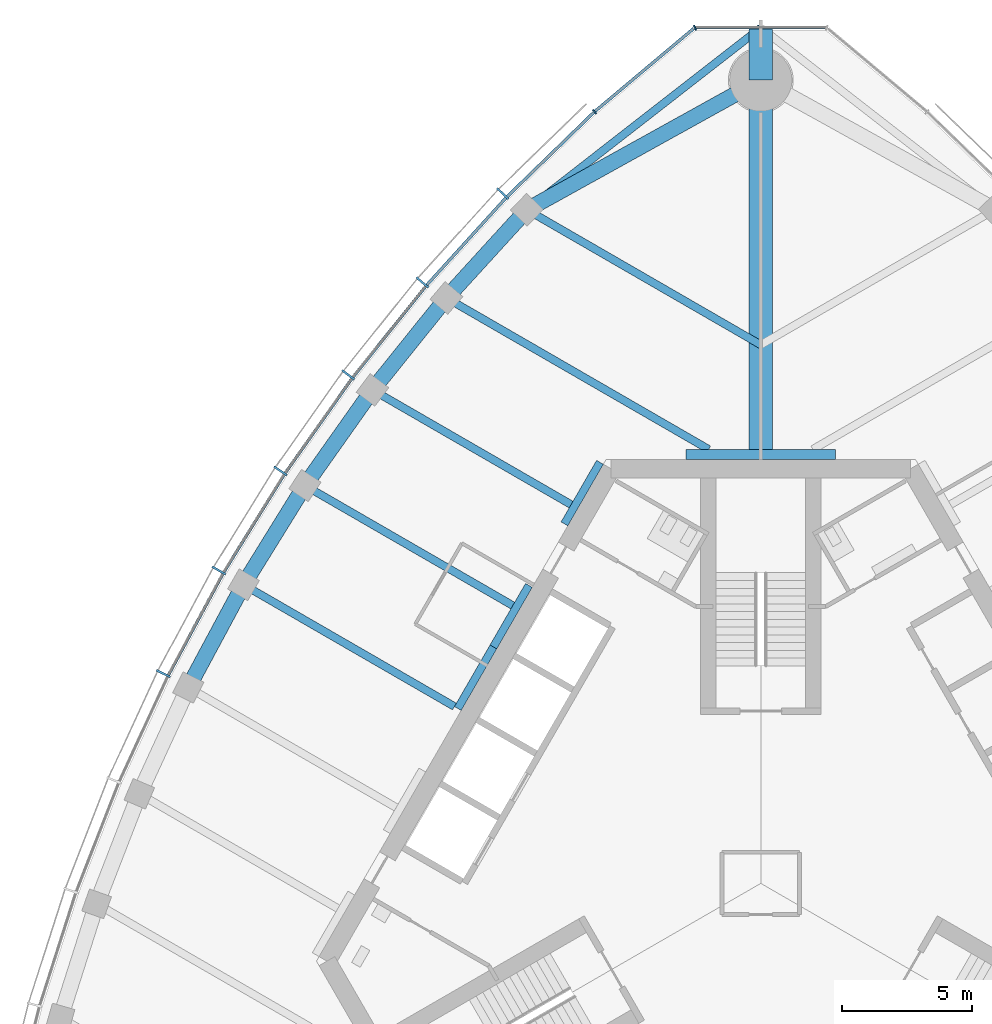
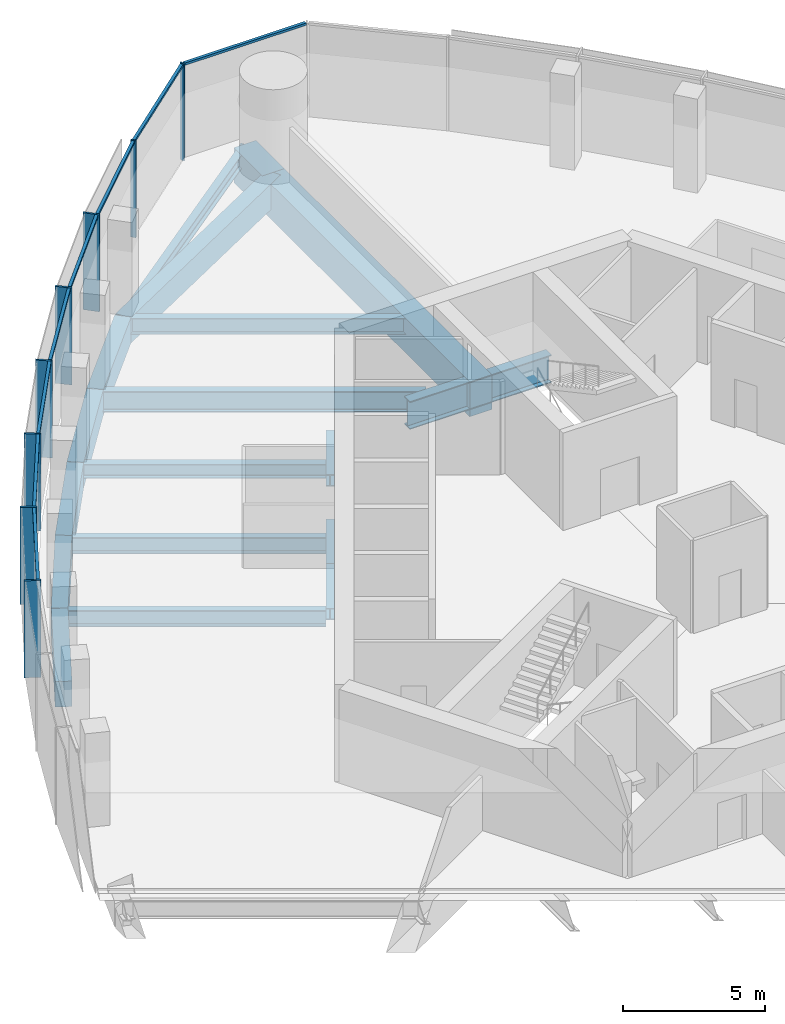
# One storey, part 5 of 16: 19 beams, 16 members, 2 elements without a shape of their own.
"""IFC4 building model written with IfcOpenShell, lengths in metres."""

from ifc_helpers import new_model, si_unit, direction, frame, origin, origin_2d, place, context, subcontext, project, spatial, rectangle, i_section, extrude, material, material_profile, profile_set, type_object, element, aggregate, save


model = new_model("IFC4")

# Units and contexts
model_context = context("Model", 3, precision=1e-05, world=origin(), true_north=direction((0.0, 1.0)))
body_context = subcontext(model_context, "Body", "Model", "MODEL_VIEW")
ifc_project = project(units=[si_unit("LENGTHUNIT", "METRE"), si_unit("AREAUNIT", "SQUARE_METRE"), si_unit("VOLUMEUNIT", "CUBIC_METRE"), si_unit("PLANEANGLEUNIT", "RADIAN"), si_unit("MASSUNIT", "GRAM", prefix="KILO")], contexts=[model_context])

# Site, building, storey
site_placement = place(None, origin())
site = spatial("IfcSite", under=ifc_project, at=site_placement, CompositionType="ELEMENT")
building_placement = place(site_placement, origin())
building = spatial("IfcBuilding", under=site, at=building_placement, Name="Trefoil Bronze Tower", CompositionType="ELEMENT")
storey_placement = place(building_placement, frame((0.0, 0.0, 297.300048828125)))
storey = spatial("IfcBuildingStorey", under=building, at=storey_placement, Name="L68", CompositionType="ELEMENT", Elevation=297.300048828125)

# Curtain wall, members
ifc_material_1 = material(Name="Tinted solar-control glass", Category="glass")
curtain_wall_type_1 = type_object("IfcCurtainWallType", Name="Bronze office curtain wall", PredefinedType="USERDEFINED", material=ifc_material_1)
curtain_wall_1_placement = place(storey_placement, origin())
curtain_wall_1 = element("IfcCurtainWall", 1, at=curtain_wall_1_placement, inside=storey, type_object=curtain_wall_type_1, Name="CW-A L68 F3", ObjectType="CURTAIN WALL", PredefinedType="USERDEFINED")
ifc_material_2 = material(Name="Bronze-finish aluminium", Category="aluminium")
ifc_material_profile_1 = material_profile(ifc_material_2, rectangle(XDim=0.60009765625, YDim=0.080078125, at=origin_2d()), Name="CW-A mullion")
ifc_profile_set_1 = profile_set([ifc_material_profile_1], Name="Bronze-finish aluminium")
member_type_1 = type_object("IfcMemberType", Name="Bronze office curtain wall mullion", PredefinedType="MULLION", material=ifc_profile_set_1)
member_1_placement = place(storey_placement, frame((-9.957275390625, 26.617431640625, 0.0), z_axis=(0.0, 0.0, 1.0), x_axis=(0.719001349715, -0.695008675564, 0.0)))
member_1 = element("IfcMember", 2, at=member_1_placement, type_object=member_type_1, Name="CW-A L68 F3 mullion 2", PredefinedType="MULLION", context=body_context, shape_type="SweptSolid", body=[
    extrude(rectangle(XDim=0.60009765625, YDim=0.080078125, at=origin_2d()), origin(), (0.0, 0.0, 1.0), 4.179931640625),
])
member_2_placement = place(storey_placement, frame((-13.064453125, 23.194091796875, 0.0), z_axis=(0.0, 0.0, 1.0), x_axis=(0.760781190165, -0.649008459646, 0.0)))
member_2 = element("IfcMember", 3, at=member_2_placement, type_object=member_type_1, Name="CW-A L68 F3 mullion 3", PredefinedType="MULLION", context=body_context, shape_type="SweptSolid", body=[
    extrude(rectangle(XDim=0.60009765625, YDim=0.080078125, at=origin_2d()), origin(), (0.0, 0.0, 1.0), 4.179931640625),
])
member_3_placement = place(storey_placement, frame((-15.922607421875, 19.627197265625, 0.0), z_axis=(0.0, 0.0, 1.0), x_axis=(0.799096076136, -0.601203344222, 0.0)))
member_3 = element("IfcMember", 4, at=member_3_placement, type_object=member_type_1, Name="CW-A L68 F3 mullion 4", PredefinedType="MULLION", context=body_context, shape_type="SweptSolid", body=[
    extrude(rectangle(XDim=0.60009765625, YDim=0.080078125, at=origin_2d()), origin(), (0.0, 0.0, 1.0), 4.179931640625),
])
member_4_placement = place(storey_placement, frame((-18.538330078125, 15.920166015625, 0.0), z_axis=(0.0, 0.0, 1.0), x_axis=(0.834159158089, -0.551523797289, 0.0)))
member_4 = element("IfcMember", 5, at=member_4_placement, type_object=member_type_1, Name="CW-A L68 F3 mullion 5", PredefinedType="MULLION", context=body_context, shape_type="SweptSolid", body=[
    extrude(rectangle(XDim=0.60009765625, YDim=0.080078125, at=origin_2d()), origin(), (0.0, 0.0, 1.0), 4.179931640625),
])
member_5_placement = place(storey_placement, frame((-20.916015625, 12.07568359375, 0.0), z_axis=(0.0, 0.0, 1.0), x_axis=(0.866025403784, -0.5, 0.0)))
member_5 = element("IfcMember", 6, at=member_5_placement, type_object=member_type_1, Name="CW-A L68 F3 mullion 6", PredefinedType="MULLION", context=body_context, shape_type="SweptSolid", body=[
    extrude(rectangle(XDim=0.60009765625, YDim=0.080078125, at=origin_2d()), origin(), (0.0, 0.0, 1.0), 4.179931640625),
])
member_6_placement = place(storey_placement, frame((-23.056396484375, 8.094482421875, 0.0), z_axis=(0.0, 0.0, 1.0), x_axis=(0.894713198289, -0.44664112306, 0.0)))
member_6 = element("IfcMember", 7, at=member_6_placement, type_object=member_type_1, Name="CW-A L68 F3 mullion 7", PredefinedType="MULLION", context=body_context, shape_type="SweptSolid", body=[
    extrude(rectangle(XDim=0.60009765625, YDim=0.080078125, at=origin_2d()), origin(), (0.0, 0.0, 1.0), 4.179931640625),
])
ifc_material_3 = material(Name="Bronze-finish aluminium", Category="aluminium")
ifc_material_profile_2 = material_profile(ifc_material_3, rectangle(XDim=0.1201171875, YDim=0.10009765625, at=origin_2d()), Name="CW-A transom")
ifc_profile_set_2 = profile_set([ifc_material_profile_2], Name="Bronze-finish aluminium")
member_type_2 = type_object("IfcMemberType", Name="Bronze office curtain wall transom", PredefinedType="USERDEFINED", material=ifc_profile_set_2)
member_7_placement = place(storey_placement, frame((-6.44921875, 29.7470703125, 4.1298828125), z_axis=(-0.717224617883, -0.696842053484, 0.0), x_axis=(0.696842053484, -0.717224617883, 0.0)))
member_7 = element("IfcMember", 8, at=member_7_placement, type_object=member_type_2, Name="CW-A L68 F3 transom 1", ObjectType="TRANSOM", PredefinedType="USERDEFINED", context=body_context, shape_type="SweptSolid", body=[
    extrude(rectangle(XDim=0.1201171875, YDim=0.10009765625, at=origin_2d()), origin(), (0.0, 0.0, 1.0), 4.6474609375),
])
member_8_placement = place(storey_placement, frame((-9.842529296875, 26.446533203125, 4.1298828125), z_axis=(-0.672068269674, -0.740489190264, 0.0), x_axis=(0.740489190264, -0.672068269674, 0.0)))
member_8 = element("IfcMember", 9, at=member_8_placement, type_object=member_type_2, Name="CW-A L68 F3 transom 2", ObjectType="TRANSOM", PredefinedType="USERDEFINED", context=body_context, shape_type="SweptSolid", body=[
    extrude(rectangle(XDim=0.1201171875, YDim=0.10009765625, at=origin_2d()), origin(), (0.0, 0.0, 1.0), 4.5244140625),
])
member_9_placement = place(storey_placement, frame((-12.939208984375, 23.03076171875, 4.1298828125), z_axis=(-0.625300648488, -0.780383943325, 0.0), x_axis=(0.780383943325, -0.625300648488, 0.0)))
member_9 = element("IfcMember", 10, at=member_9_placement, type_object=member_type_2, Name="CW-A L68 F3 transom 3", ObjectType="TRANSOM", PredefinedType="USERDEFINED", context=body_context, shape_type="SweptSolid", body=[
    extrude(rectangle(XDim=0.1201171875, YDim=0.10009765625, at=origin_2d()), origin(), (0.0, 0.0, 1.0), 4.472412109375),
])
member_10_placement = place(storey_placement, frame((-15.78759765625, 19.4716796875, 4.1298828125), z_axis=(-0.5765665752, -0.817050172488, 0.0), x_axis=(0.817050172488, -0.5765665752, 0.0)))
member_10 = element("IfcMember", 11, at=member_10_placement, type_object=member_type_2, Name="CW-A L68 F3 transom 4", ObjectType="TRANSOM", PredefinedType="USERDEFINED", context=body_context, shape_type="SweptSolid", body=[
    extrude(rectangle(XDim=0.1201171875, YDim=0.10009765625, at=origin_2d()), origin(), (0.0, 0.0, 1.0), 4.4384765625),
])
member_11_placement = place(storey_placement, frame((-18.394287109375, 15.7734375, 4.1298828125), z_axis=(-0.525978235299, -0.850498028212, 0.0), x_axis=(0.850498028212, -0.525978235299, 0.0)))
member_11 = element("IfcMember", 12, at=member_11_placement, type_object=member_type_2, Name="CW-A L68 F3 transom 5", ObjectType="TRANSOM", PredefinedType="USERDEFINED", context=body_context, shape_type="SweptSolid", body=[
    extrude(rectangle(XDim=0.1201171875, YDim=0.10009765625, at=origin_2d()), origin(), (0.0, 0.0, 1.0), 4.422119140625),
])
member_12_placement = place(storey_placement, frame((-20.76318359375, 11.93798828125, 4.1298828125), z_axis=(-0.473540024981, -0.880772300167, 0.0), x_axis=(0.880772300167, -0.473540024981, 0.0)))
member_12 = element("IfcMember", 13, at=member_12_placement, type_object=member_type_2, Name="CW-A L68 F3 transom 6", ObjectType="TRANSOM", PredefinedType="USERDEFINED", context=body_context, shape_type="SweptSolid", body=[
    extrude(rectangle(XDim=0.1201171875, YDim=0.10009765625, at=origin_2d()), origin(), (0.0, 0.0, 1.0), 4.422119140625),
])
aggregate(curtain_wall_1, [member_1, member_2, member_3, member_4, member_5, member_6, member_7, member_8, member_9, member_10, member_11, member_12])

ifc_material_4 = material(Name="Tinted solar-control glass", Category="glass")
curtain_wall_type_2 = type_object("IfcCurtainWallType", Name="Bronze rounded corner curtain wall", PredefinedType="USERDEFINED", material=ifc_material_4)
curtain_wall_2_placement = place(storey_placement, origin())
curtain_wall_2 = element("IfcCurtainWall", 14, at=curtain_wall_2_placement, inside=storey, type_object=curtain_wall_type_2, Name="CW-B L68 K2", ObjectType="CURTAIN WALL", PredefinedType="USERDEFINED")
ifc_material_5 = material(Name="Bronze-finish aluminium", Category="aluminium")
ifc_material_profile_3 = material_profile(ifc_material_5, rectangle(XDim=0.199951171875, YDim=0.06005859375, at=origin_2d()), Name="CW-B mullion")
ifc_profile_set_3 = profile_set([ifc_material_profile_3], Name="Bronze-finish aluminium")
member_type_3 = type_object("IfcMemberType", Name="Bronze rounded corner curtain wall mullion", PredefinedType="MULLION", material=ifc_profile_set_3)
member_13_placement = place(storey_placement, frame((-2.542236328125, 33.021484375, 0.0), z_axis=(0.0, 0.0, 1.0), x_axis=(0.342020143326, -0.939692620786, 0.0)))
member_13 = element("IfcMember", 15, at=member_13_placement, type_object=member_type_3, Name="CW-B L68 K2 mullion 3", PredefinedType="MULLION", context=body_context, shape_type="SweptSolid", body=[
    extrude(rectangle(XDim=0.199951171875, YDim=0.06005859375, at=origin_2d()), origin(), (0.0, 0.0, 1.0), 4.179931640625),
])
member_14_placement = place(storey_placement, frame((-6.4150390625, 29.77978515625, 0.0), z_axis=(0.0, 0.0, 1.0), x_axis=(0.642787609687, -0.766044443119, 0.0)))
member_14 = element("IfcMember", 16, at=member_14_placement, type_object=member_type_3, Name="CW-B L68 K2 mullion 4", PredefinedType="MULLION", context=body_context, shape_type="SweptSolid", body=[
    extrude(rectangle(XDim=0.199951171875, YDim=0.06005859375, at=origin_2d()), origin(), (0.0, 0.0, 1.0), 4.179931640625),
])
ifc_material_6 = material(Name="Bronze-finish aluminium", Category="aluminium")
ifc_material_profile_4 = material_profile(ifc_material_6, rectangle(XDim=0.1201171875, YDim=0.10009765625, at=origin_2d()), Name="CW-B transom")
ifc_profile_set_4 = profile_set([ifc_material_profile_4], Name="Bronze-finish aluminium")
member_type_4 = type_object("IfcMemberType", Name="Bronze rounded corner curtain wall transom", PredefinedType="USERDEFINED", material=ifc_profile_set_4)
member_15_placement = place(storey_placement, frame((2.47802734375, 33.027587890625, 4.1298828125), z_axis=(-1.0, 0.0, 0.0), x_axis=(0.0, -1.0, 0.0)))
member_15 = element("IfcMember", 17, at=member_15_placement, type_object=member_type_4, Name="CW-B L68 K2 transom 2", ObjectType="TRANSOM", PredefinedType="USERDEFINED", context=body_context, shape_type="SweptSolid", body=[
    extrude(rectangle(XDim=0.1201171875, YDim=0.10009765625, at=origin_2d()), origin(), (0.0, 0.0, 1.0), 4.9560546875),
])
member_16_placement = place(storey_placement, frame((-2.595458984375, 32.98486328125, 4.1298828125), z_axis=(-0.766040522511, -0.642792282056, 0.0), x_axis=(0.642792282056, -0.766040522511, 0.0)))
member_16 = element("IfcMember", 18, at=member_16_placement, type_object=member_type_4, Name="CW-B L68 K2 transom 3", ObjectType="TRANSOM", PredefinedType="USERDEFINED", context=body_context, shape_type="SweptSolid", body=[
    extrude(rectangle(XDim=0.1201171875, YDim=0.10009765625, at=origin_2d()), origin(), (0.0, 0.0, 1.0), 4.9560546875),
])
aggregate(curtain_wall_2, [member_13, member_14, member_15, member_16])

# Beams
ifc_material_7 = material(Name="Steel C355", Category="steel")
ifc_material_profile_5 = material_profile(ifc_material_7, i_section(OverallWidth=0.300048828125, OverallDepth=0.5, WebThickness=0.014404296875, FlangeThickness=0.028076171875, FilletRadius=0.027099609375, at=origin_2d()), Name="HEB 500")
ifc_profile_set_5 = profile_set([ifc_material_profile_5], Name="Steel C355")
beam_type_1 = type_object("IfcBeamType", Name="Core seat beam HEB 500", PredefinedType="BEAM", material=ifc_profile_set_5)
for number, where, z_axis, x_axis, name in (
    (19, (-6.20654296875, 16.25, -0.449951171875), (-0.499969057507, -0.866043267704, 0.0), (0.866043267704, -0.499969057507, 0.0), "Core seat beam F3/-2 L68"),
    (20, (-8.948974609375, 11.5, -0.449951171875), (-0.499969057507, -0.866043267704, 0.0), (0.866043267704, -0.499969057507, 0.0), "Core seat beam F3/-1 L68"),
    (21, (-10.320068359375, 9.125, -0.449951171875), (-0.500035825175, -0.866004719122, 0.0), (0.866004719122, -0.500035825175, 0.0), "Core seat beam F3/+0 L68"),
):
    element("IfcBeam", number, at=place(storey_placement, frame(where, z_axis=z_axis, x_axis=x_axis)), inside=storey, type_object=beam_type_1, Name=name, PredefinedType="BEAM", context=body_context, shape_type="SweptSolid", body=[
        extrude(i_section(OverallWidth=0.300048828125, OverallDepth=0.5, WebThickness=0.014404296875, FlangeThickness=0.028076171875, FilletRadius=0.027099609375, at=origin_2d()), origin(), (0.0, 0.0, 1.0), 2.742431640625),
    ])
ifc_material_8 = material(Name="Steel C355", Category="steel")
ifc_material_profile_6 = material_profile(ifc_material_8, i_section(OverallWidth=0.39990234375, OverallDepth=1.199951171875, WebThickness=0.02001953125, FlangeThickness=0.0400390625, FilletRadius=0.010009765625, at=origin_2d()), Name="WPG 1200")
ifc_profile_set_6 = profile_set([ifc_material_profile_6], Name="Steel C355")
beam_type_2 = type_object("IfcBeamType", Name="Core seat beam WPG 1200", PredefinedType="BEAM", material=ifc_profile_set_6)
for number, where, z_axis, x_axis, name in (
    (22, (2.88671875, 16.550048828125, -0.800048828125), (-1.0, 0.0, 0.0), (0.0, -1.0, 0.0), "Core seat beam F2/+3 L68"),
    (23, (0.0, 16.550048828125, -0.800048828125), (-1.0, 0.0, 0.0), (0.0, -1.0, 0.0), "Core seat beam F3/-3 L68"),
):
    element("IfcBeam", number, at=place(storey_placement, frame(where, z_axis=z_axis, x_axis=x_axis)), inside=storey, type_object=beam_type_2, Name=name, PredefinedType="BEAM", context=body_context, shape_type="SweptSolid", body=[
        extrude(i_section(OverallWidth=0.39990234375, OverallDepth=1.199951171875, WebThickness=0.02001953125, FlangeThickness=0.0400390625, FilletRadius=0.010009765625, at=origin_2d()), origin(), (0.0, 0.0, 1.0), 2.88671875),
    ])
ifc_material_9 = material(Name="Concrete B80", Category="concrete")
ifc_material_profile_7 = material_profile(ifc_material_9, rectangle(XDim=0.89990234375, YDim=1.5, at=origin_2d()), Name="RC 900x1500")
ifc_profile_set_7 = profile_set([ifc_material_profile_7], Name="Concrete B80")
beam_type_3 = type_object("IfcBeamType", Name="Corner cantilever RC 900x1500", PredefinedType="BEAM", material=ifc_profile_set_7)
beam_1_placement = place(storey_placement, frame((0.0, 31.0, -0.949951171875), z_axis=(0.0, 1.0, 0.0), x_axis=(-1.0, 0.0, 0.0)))
element("IfcBeam", 24, at=beam_1_placement, inside=storey, type_object=beam_type_3, Name="Corner cantilever K2 L68", PredefinedType="BEAM", context=body_context, shape_type="SweptSolid", body=[
    extrude(rectangle(XDim=0.89990234375, YDim=1.5, at=origin_2d()), origin(), (0.0, 0.0, 1.0), 2.019775390625),
])
ifc_material_10 = material(Name="Steel C355", Category="steel")
ifc_material_profile_8 = material_profile(ifc_material_10, i_section(OverallWidth=0.300048828125, OverallDepth=0.60009765625, WebThickness=0.015380859375, FlangeThickness=0.030029296875, FilletRadius=0.027099609375, at=origin_2d()), Name="HEB 600")
ifc_profile_set_8 = profile_set([ifc_material_profile_8], Name="Steel C355")
beam_type_4 = type_object("IfcBeamType", Name="Corner edge beam HEB 600", PredefinedType="BEAM", material=ifc_profile_set_8)
beam_2_placement = place(storey_placement, frame((-9.02734375, 25.99658203125, -0.5), z_axis=(0.789270604977, 0.614045529354, 0.0), x_axis=(-0.614045529354, 0.789270604977, 0.0)))
element("IfcBeam", 25, at=beam_2_placement, inside=storey, type_object=beam_type_4, Name="Corner edge beam F3B L68", PredefinedType="BEAM", context=body_context, shape_type="SweptSolid", body=[
    extrude(i_section(OverallWidth=0.300048828125, OverallDepth=0.60009765625, WebThickness=0.015380859375, FlangeThickness=0.030029296875, FilletRadius=0.027099609375, at=origin_2d()), origin(), (0.0, 0.0, 1.0), 11.4375),
])
ifc_material_11 = material(Name="Concrete B80", Category="concrete")
ifc_material_profile_9 = material_profile(ifc_material_11, rectangle(XDim=0.89990234375, YDim=1.5, at=origin_2d()), Name="RC 900x1500")
ifc_profile_set_9 = profile_set([ifc_material_profile_9], Name="Concrete B80")
beam_type_5 = type_object("IfcBeamType", Name="Corner girder RC 900x1500", PredefinedType="BEAM", material=ifc_profile_set_9)
beam_3_placement = place(storey_placement, frame((0.0, 16.35009765625, -0.949951171875), z_axis=(0.0, 1.0, 0.0), x_axis=(-1.0, 0.0, 0.0)))
element("IfcBeam", 26, at=beam_3_placement, inside=storey, type_object=beam_type_5, Name="Corner girder K2 L68", PredefinedType="BEAM", context=body_context, shape_type="SweptSolid", body=[
    extrude(rectangle(XDim=0.89990234375, YDim=1.5, at=origin_2d()), origin(), (0.0, 0.0, 1.0), 14.64990234375),
])
ifc_material_12 = material(Name="Concrete B80", Category="concrete")
ifc_material_profile_10 = material_profile(ifc_material_12, rectangle(XDim=0.60009765625, YDim=1.10009765625, at=origin_2d()), Name="RC 600x1100")
ifc_profile_set_10 = profile_set([ifc_material_profile_10], Name="Concrete B80")
beam_type_6 = type_object("IfcBeamType", Name="End spandrel beam RC 600x1100", PredefinedType="SPANDREL", material=ifc_profile_set_10)
beam_4_placement = place(storey_placement, frame((0.0, 31.0, -0.75), z_axis=(-0.874641085074, -0.484771051426, 0.0), x_axis=(0.484771051426, -0.874641085074, 0.0)))
element("IfcBeam", 27, at=beam_4_placement, inside=storey, type_object=beam_type_6, Name="Spandrel F3.1 L68", PredefinedType="SPANDREL", context=body_context, shape_type="SweptSolid", body=[
    extrude(rectangle(XDim=0.60009765625, YDim=1.10009765625, at=origin_2d()), origin(), (0.0, 0.0, 1.0), 10.3212890625),
])
ifc_material_13 = material(Name="Steel C355", Category="steel")
ifc_material_profile_11 = material_profile(ifc_material_13, i_section(OverallWidth=0.300048828125, OverallDepth=0.60009765625, WebThickness=0.015380859375, FlangeThickness=0.030029296875, FilletRadius=0.027099609375, at=origin_2d()), Name="HEB 600")
ifc_profile_set_11 = profile_set([ifc_material_profile_11], Name="Steel C355")
beam_type_7 = type_object("IfcBeamType", Name="Floor beam HEB 600", PredefinedType="BEAM", material=ifc_profile_set_11)
beam_5_placement = place(storey_placement, frame((-14.98486328125, 19.043701171875, -0.5), z_axis=(0.866025701847, -0.499999483739, 0.0), x_axis=(0.499999483739, 0.866025701847, 0.0)))
element("IfcBeam", 28, at=beam_5_placement, inside=storey, type_object=beam_type_7, Name="Floor beam F3/-2 L68", PredefinedType="BEAM", context=body_context, shape_type="SweptSolid", body=[
    extrude(i_section(OverallWidth=0.300048828125, OverallDepth=0.60009765625, WebThickness=0.015380859375, FlangeThickness=0.030029296875, FilletRadius=0.027099609375, at=origin_2d()), origin(), (0.0, 0.0, 1.0), 8.84912109375),
])
ifc_material_14 = material(Name="Steel C355", Category="steel")
ifc_material_profile_12 = material_profile(ifc_material_14, i_section(OverallWidth=0.300048828125, OverallDepth=0.699951171875, WebThickness=0.01708984375, FlangeThickness=0.031982421875, FilletRadius=0.027099609375, at=origin_2d()), Name="HEB 700")
ifc_profile_set_12 = profile_set([ifc_material_profile_12], Name="Steel C355")
beam_type_8 = type_object("IfcBeamType", Name="Floor beam HEB 700", PredefinedType="BEAM", material=ifc_profile_set_12)
beam_6_placement = place(storey_placement, frame((-9.02734375, 25.99658203125, -0.550048828125), z_axis=(0.866026453994, -0.499998180979, 0.0), x_axis=(0.499998180979, 0.866026453994, 0.0)))
element("IfcBeam", 29, at=beam_6_placement, inside=storey, type_object=beam_type_8, Name="Floor beam F3/-4 L68", PredefinedType="BEAM", context=body_context, shape_type="SweptSolid", body=[
    extrude(i_section(OverallWidth=0.300048828125, OverallDepth=0.699951171875, WebThickness=0.01708984375, FlangeThickness=0.031982421875, FilletRadius=0.027099609375, at=origin_2d()), origin(), (0.0, 0.0, 1.0), 10.423828125),
])
beam_7_placement = place(storey_placement, frame((-17.593994140625, 15.35400390625, -0.550048828125), z_axis=(0.866028909405, -0.499993928037, 0.0), x_axis=(0.499993928037, 0.866028909405, 0.0)))
element("IfcBeam", 30, at=beam_7_placement, inside=storey, type_object=beam_type_8, Name="Floor beam F3/-1 L68", PredefinedType="BEAM", context=body_context, shape_type="SweptSolid", body=[
    extrude(i_section(OverallWidth=0.300048828125, OverallDepth=0.699951171875, WebThickness=0.01708984375, FlangeThickness=0.031982421875, FilletRadius=0.027099609375, at=origin_2d()), origin(), (0.0, 0.0, 1.0), 9.263671875),
])
beam_8_placement = place(storey_placement, frame((-19.96337890625, 11.52587890625, -0.550048828125), z_axis=(0.866021259968, -0.500007177232, 0.0), x_axis=(0.500007177232, 0.866021259968, 0.0)))
element("IfcBeam", 31, at=beam_8_placement, inside=storey, type_object=beam_type_8, Name="Floor beam F3/+0 L68", PredefinedType="BEAM", context=body_context, shape_type="SweptSolid", body=[
    extrude(i_section(OverallWidth=0.300048828125, OverallDepth=0.699951171875, WebThickness=0.01708984375, FlangeThickness=0.031982421875, FilletRadius=0.027099609375, at=origin_2d()), origin(), (0.0, 0.0, 1.0), 9.401611328125),
])
ifc_material_15 = material(Name="Steel C355", Category="steel")
ifc_material_profile_13 = material_profile(ifc_material_15, i_section(OverallWidth=0.300048828125, OverallDepth=0.89990234375, WebThickness=0.0185546875, FlangeThickness=0.034912109375, FilletRadius=0.030029296875, at=origin_2d()), Name="HEB 900")
ifc_profile_set_13 = profile_set([ifc_material_profile_13], Name="Steel C355")
beam_type_9 = type_object("IfcBeamType", Name="Floor beam HEB 900", PredefinedType="BEAM", material=ifc_profile_set_13)
beam_9_placement = place(storey_placement, frame((-12.131591796875, 22.5927734375, -0.650146484375), z_axis=(0.866017882563, -0.500013026912, 0.0), x_axis=(0.500013026912, 0.866017882563, 0.0)))
element("IfcBeam", 32, at=beam_9_placement, inside=storey, type_object=beam_type_9, Name="Floor beam F3/-3 L68", PredefinedType="BEAM", context=body_context, shape_type="SweptSolid", body=[
    extrude(i_section(OverallWidth=0.300048828125, OverallDepth=0.89990234375, WebThickness=0.0185546875, FlangeThickness=0.034912109375, FilletRadius=0.030029296875, at=origin_2d()), origin(), (0.0, 0.0, 1.0), 11.685302734375),
])
ifc_material_16 = material(Name="Concrete B80", Category="concrete")
ifc_material_profile_14 = material_profile(ifc_material_16, rectangle(XDim=0.60009765625, YDim=1.10009765625, at=origin_2d()), Name="RC 600x1100")
ifc_profile_set_14 = profile_set([ifc_material_profile_14], Name="Concrete B80")
beam_type_10 = type_object("IfcBeamType", Name="Spandrel beam RC 600x1100", PredefinedType="SPANDREL", material=ifc_profile_set_14)
beam_10_placement = place(storey_placement, frame((-9.02734375, 25.99658203125, -0.75), z_axis=(-0.673845775847, -0.738872025707, 0.0), x_axis=(0.738872025707, -0.673845775847, 0.0)))
element("IfcBeam", 33, at=beam_10_placement, inside=storey, type_object=beam_type_10, Name="Spandrel F3.2 L68", PredefinedType="SPANDREL", context=body_context, shape_type="SweptSolid", body=[
    extrude(rectangle(XDim=0.60009765625, YDim=1.10009765625, at=origin_2d()), origin(), (0.0, 0.0, 1.0), 4.606689453125),
])
beam_11_placement = place(storey_placement, frame((-12.131591796875, 22.5927734375, -0.75), z_axis=(-0.626569682592, -0.779365403939, 0.0), x_axis=(0.779365403939, -0.626569682592, 0.0)))
element("IfcBeam", 34, at=beam_11_placement, inside=storey, type_object=beam_type_10, Name="Spandrel F3.3 L68", PredefinedType="SPANDREL", context=body_context, shape_type="SweptSolid", body=[
    extrude(rectangle(XDim=0.60009765625, YDim=1.10009765625, at=origin_2d()), origin(), (0.0, 0.0, 1.0), 4.5537109375),
])
beam_12_placement = place(storey_placement, frame((-14.98486328125, 19.043701171875, -0.75), z_axis=(-0.577368105169, -0.816483968693, 0.0), x_axis=(0.816483968693, -0.577368105169, 0.0)))
element("IfcBeam", 35, at=beam_12_placement, inside=storey, type_object=beam_type_10, Name="Spandrel F3.4 L68", PredefinedType="SPANDREL", context=body_context, shape_type="SweptSolid", body=[
    extrude(rectangle(XDim=0.60009765625, YDim=1.10009765625, at=origin_2d()), origin(), (0.0, 0.0, 1.0), 4.51904296875),
])
beam_13_placement = place(storey_placement, frame((-17.593994140625, 15.35400390625, -0.75), z_axis=(-0.526289271956, -0.850305593433, 0.0), x_axis=(0.850305593433, -0.526289271956, 0.0)))
element("IfcBeam", 36, at=beam_13_placement, inside=storey, type_object=beam_type_10, Name="Spandrel F3.5 L68", PredefinedType="SPANDREL", context=body_context, shape_type="SweptSolid", body=[
    extrude(rectangle(XDim=0.60009765625, YDim=1.10009765625, at=origin_2d()), origin(), (0.0, 0.0, 1.0), 4.501953125),
])
beam_14_placement = place(storey_placement, frame((-19.96337890625, 11.52587890625, -0.75), z_axis=(-0.473245885676, -0.880930378458, 0.0), x_axis=(0.880930378458, -0.473245885676, 0.0)))
element("IfcBeam", 37, at=beam_14_placement, inside=storey, type_object=beam_type_10, Name="Spandrel F3.6 L68", PredefinedType="SPANDREL", context=body_context, shape_type="SweptSolid", body=[
    extrude(rectangle(XDim=0.60009765625, YDim=1.10009765625, at=origin_2d()), origin(), (0.0, 0.0, 1.0), 4.502197265625),
])

save(model, "model.ifc")
